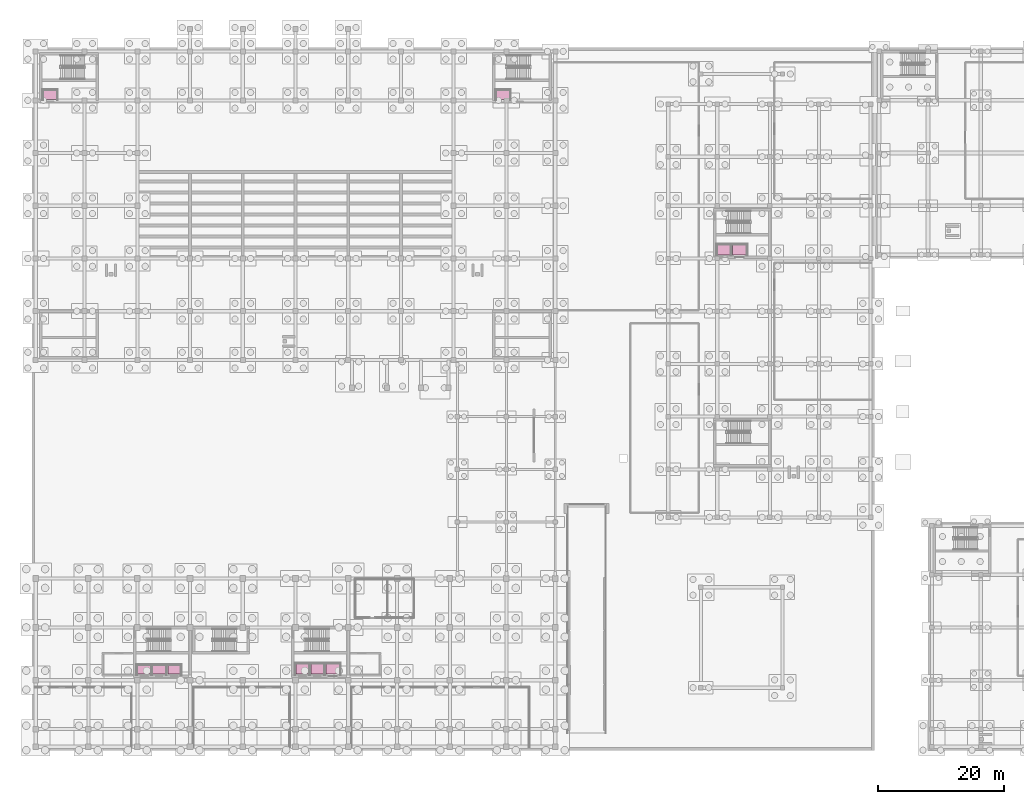
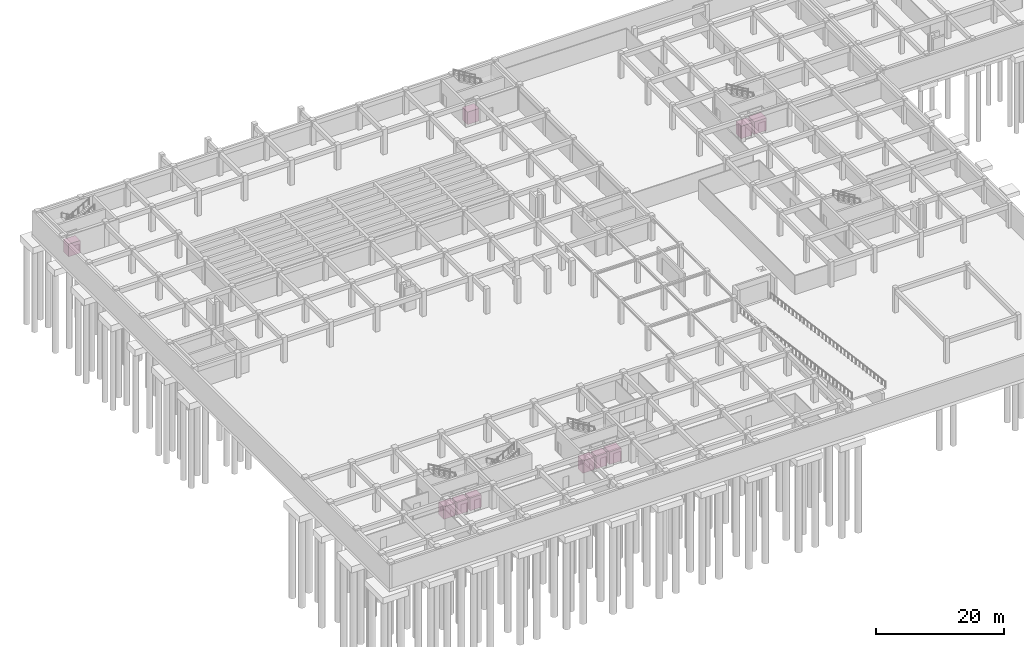
# One storey, part 35 of 35: 10 transport elements.
"""IFC4 building model written with IfcOpenShell, lengths in metres."""

from ifc_helpers import new_model, si_unit, direction, frame, origin, origin_2d, place, context, subcontext, project, spatial, rectangle, extrude, material, type_object, element, save


model = new_model("IFC4")

# Units and contexts
model_context = context("Model", 3, precision=1e-05, world=origin(), true_north=direction((0.0, 1.0)))
body_context = subcontext(model_context, "Body", "Model", "MODEL_VIEW")
ifc_project = project(units=[si_unit("LENGTHUNIT", "METRE"), si_unit("AREAUNIT", "SQUARE_METRE"), si_unit("VOLUMEUNIT", "CUBIC_METRE"), si_unit("PLANEANGLEUNIT", "RADIAN"), si_unit("MASSUNIT", "GRAM", prefix="KILO")], contexts=[model_context])

# Site, building, storey
site_placement = place(None, origin())
site = spatial("IfcSite", under=ifc_project, at=site_placement, CompositionType="ELEMENT")
building_placement = place(site_placement, origin())
building = spatial("IfcBuilding", under=site, at=building_placement, Name="Zayran Congress Hotel", CompositionType="ELEMENT")
storey_placement = place(building_placement, frame((0.0, 0.0, -4.800048828125)))
storey = spatial("IfcBuildingStorey", under=building, at=storey_placement, Name="B1", CompositionType="ELEMENT", Elevation=-4.800048828125)

# Transport elements
ifc_material_1 = material(Name="Stainless steel elevator cab assembly", Category="steel")
transport_element_type_1 = type_object("IfcTransportElementType", Name="TP-LFT-FF", PredefinedType="ELEVATOR", material=ifc_material_1)
for number, where, z_axis, x_axis, name in (
    (1, (26.300048828125, 18.949951171875, 0.0), (0.0, 0.0, 1.0), (1.0, 0.0, 0.0), "Elevator FL-01"),
    (2, (51.5, 18.949951171875, 0.0), (0.0, 0.0, 1.0), (1.0, 0.0, 0.0), "Elevator FL-02"),
):
    element("IfcTransportElement", number, at=place(storey_placement, frame(where, z_axis=z_axis, x_axis=x_axis)), inside=storey, type_object=transport_element_type_1, Name=name, PredefinedType="ELEVATOR", context=body_context, shape_type="SweptSolid", body=[
        extrude(rectangle(XDim=2.10009765625, YDim=1.60009765625, at=origin_2d()), origin(), (0.0, 0.0, 1.0), 2.39990234375),
    ])
transport_element_type_2 = type_object("IfcTransportElementType", Name="TP-LFT-PAX", PredefinedType="ELEVATOR", material=ifc_material_1)
for number, where, z_axis, x_axis, name in (
    (3, (28.64990234375, 18.949951171875, 0.0), (0.0, 0.0, 1.0), (1.0, 0.0, 0.0), "Elevator PL-01"),
    (4, (31.050048828125, 18.949951171875, 0.0), (0.0, 0.0, 1.0), (1.0, 0.0, 0.0), "Elevator PL-02"),
    (5, (53.85009765625, 18.949951171875, 0.0), (0.0, 0.0, 1.0), (1.0, 0.0, 0.0), "Elevator PL-03"),
):
    element("IfcTransportElement", number, at=place(storey_placement, frame(where, z_axis=z_axis, x_axis=x_axis)), inside=storey, type_object=transport_element_type_2, Name=name, PredefinedType="ELEVATOR", context=body_context, shape_type="SweptSolid", body=[
        extrude(rectangle(XDim=2.0, YDim=1.60009765625, at=origin_2d()), origin(), (0.0, 0.0, 1.0), 2.39990234375),
    ])
for number, where, z_axis, x_axis, name in (
    (6, (11.300048828125, 110.550048828125, 0.0), (0.0, 0.0, 1.0), (1.0, 0.0, 0.0), "Elevator PL-04"),
    (7, (83.5, 110.550048828125, 0.0), (0.0, 0.0, 1.0), (1.0, 0.0, 0.0), "Elevator PL-05"),
):
    element("IfcTransportElement", number, at=place(storey_placement, frame(where, z_axis=z_axis, x_axis=x_axis)), inside=storey, type_object=transport_element_type_2, Name=name, PredefinedType="ELEVATOR", context=body_context, shape_type="SweptSolid", body=[
        extrude(rectangle(XDim=2.10009765625, YDim=1.60009765625, at=origin_2d()), origin(), (0.0, 0.0, 1.0), 2.39990234375),
    ])
transport_element_placement = place(storey_placement, frame((118.64990234375, 85.75, 0.0), z_axis=(0.0, 0.0, 1.0), x_axis=(1.0, 0.0, 0.0)))
element("IfcTransportElement", 8, at=transport_element_placement, inside=storey, type_object=transport_element_type_2, Name="Elevator PL-06", PredefinedType="ELEVATOR", context=body_context, shape_type="SweptSolid", body=[
    extrude(rectangle(XDim=2.0, YDim=1.60009765625, at=origin_2d()), origin(), (0.0, 0.0, 1.0), 2.39990234375),
])
ifc_material_2 = material(Name="Stainless steel service elevator cab", Category="steel")
transport_element_type_3 = type_object("IfcTransportElementType", Name="TP-LFT-SRV", PredefinedType="ELEVATOR", material=ifc_material_2)
for number, where, z_axis, x_axis, name in (
    (9, (56.35009765625, 19.050048828125, 0.0), (0.0, 0.0, 1.0), (1.0, 0.0, 0.0), "Elevator SV-01"),
    (10, (121.14990234375, 85.85009765625, 0.0), (0.0, 0.0, 1.0), (1.0, 0.0, 0.0), "Elevator SV-02"),
):
    element("IfcTransportElement", number, at=place(storey_placement, frame(where, z_axis=z_axis, x_axis=x_axis)), inside=storey, type_object=transport_element_type_3, Name=name, PredefinedType="ELEVATOR", context=body_context, shape_type="SweptSolid", body=[
        extrude(rectangle(XDim=2.199951171875, YDim=1.800048828125, at=origin_2d()), origin(), (0.0, 0.0, 1.0), 2.39990234375),
    ])

save(model, "model.ifc")
